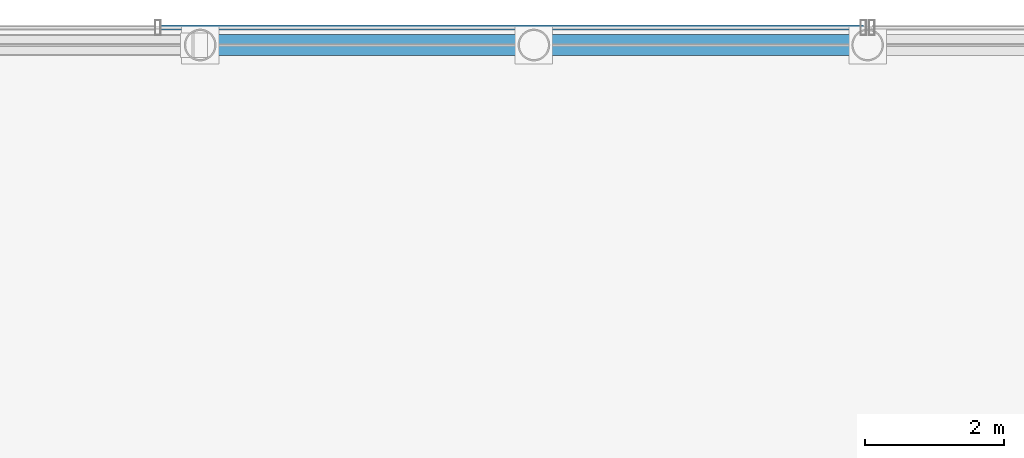
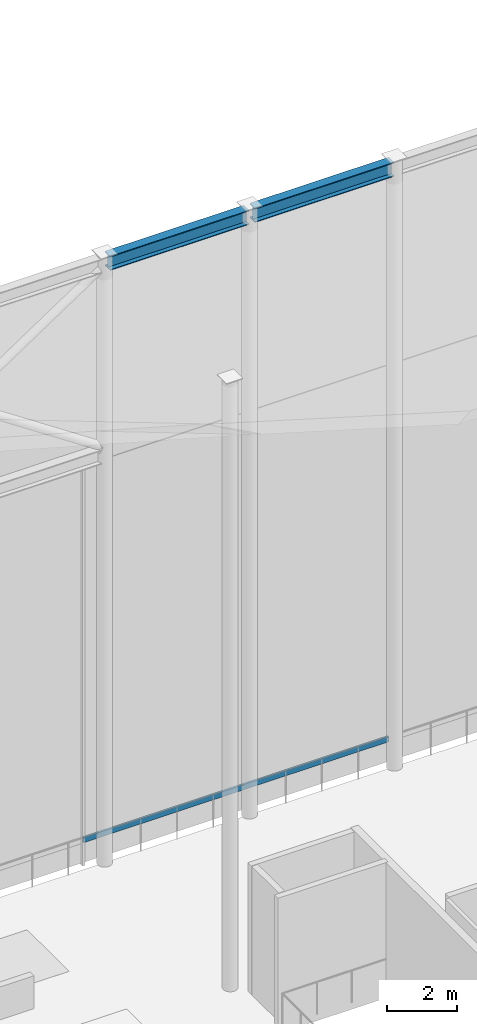
# One storey, part 27 of 42: 2 beams, 1 member, 1 element without a shape of its own.
"""IFC4 building model written with IfcOpenShell, lengths in metres."""

from ifc_helpers import new_model, si_unit, direction, frame, origin, origin_2d, place, context, subcontext, project, spatial, hollow_rectangle, i_section, extrude, material, layer, layer_set, material_profile, profile_set, type_object, element, aggregate, save


model = new_model("IFC4")

# Units and contexts
model_context = context("Model", 3, precision=1e-05, world=origin(), true_north=direction((0.0, 1.0)))
body_context = subcontext(model_context, "Body", "Model", "MODEL_VIEW")
ifc_project = project(units=[si_unit("LENGTHUNIT", "METRE"), si_unit("AREAUNIT", "SQUARE_METRE"), si_unit("VOLUMEUNIT", "CUBIC_METRE"), si_unit("PLANEANGLEUNIT", "RADIAN"), si_unit("MASSUNIT", "GRAM", prefix="KILO")], contexts=[model_context])

# Site, building, storey
site_placement = place(None, origin())
site = spatial("IfcSite", under=ifc_project, at=site_placement, CompositionType="ELEMENT")
building_placement = place(site_placement, origin())
building = spatial("IfcBuilding", under=site, at=building_placement, Name="Kallvorn Hotel Tower", CompositionType="ELEMENT")
storey_placement = place(building_placement, frame((0.0, 0.0, 306.0)))
storey = spatial("IfcBuildingStorey", under=building, at=storey_placement, Name="ROOF", CompositionType="ELEMENT", Elevation=306.0)

# Beams
ifc_material_1 = material(Name="Structural steel S355JR", Category="steel")
ifc_material_profile_1 = material_profile(ifc_material_1, i_section(OverallWidth=0.300048828125, OverallDepth=0.5, WebThickness=0.014404296875, FlangeThickness=0.028076171875, at=origin_2d()), Name="HE 500 B")
ifc_profile_set_1 = profile_set([ifc_material_profile_1], Name="Structural steel S355JR")
beam_type = type_object("IfcBeamType", Name="BM_HE500B", PredefinedType="SPANDREL", material=ifc_profile_set_1)
for number, where, z_axis, x_axis, name in (
    (1, (-14.300048828125, 14.39990234375, 21.030029296875), (1.0, 0.0, 0.0), (0.0, 1.0, 0.0), "CROWN FRAME Top Ring Beam 12"),
    (2, (-9.5, 14.39990234375, 21.030029296875), (1.0, 0.0, 0.0), (0.0, 1.0, 0.0), "CROWN FRAME Top Ring Beam 13"),
):
    element("IfcBeam", number, at=place(storey_placement, frame(where, z_axis=z_axis, x_axis=x_axis)), inside=storey, type_object=beam_type, Name=name, PredefinedType="SPANDREL", context=body_context, shape_type="SweptSolid", body=[
        extrude(i_section(OverallWidth=0.300048828125, OverallDepth=0.5, WebThickness=0.014404296875, FlangeThickness=0.028076171875, at=origin_2d()), origin(), (0.0, 0.0, 1.0), 4.60009765625),
    ])

# Curtain wall, member
ifc_material_2 = material(Name="Thermally broken black-anodised aluminium AA 6063-T6", Category="aluminium")
ifc_layer = layer(ifc_material_2, 0.18994140625)
ifc_layer_set = layer_set([ifc_layer], Name="CW_SYS_7_CROWN_DRUM")
curtain_wall_type = type_object("IfcCurtainWallType", Name="CW_SYS_7_CROWN_DRUM", PredefinedType="USERDEFINED", material=ifc_layer_set)
curtain_wall_placement = place(storey_placement, origin())
curtain_wall = element("IfcCurtainWall", 3, at=curtain_wall_placement, inside=storey, type_object=curtain_wall_type, Name="ROOF Dark-Glass Curtain Wall CW-ROOF-N1", ObjectType="UNITISED CURTAIN WALL", PredefinedType="USERDEFINED")
ifc_material_3 = material(Name="Thermally broken black-anodised aluminium AA 6063-T6", Category="aluminium")
ifc_material_profile_2 = material_profile(ifc_material_3, hollow_rectangle(XDim=0.070068359375, YDim=0.179931640625, WallThickness=0.00390625, at=origin_2d()), Name="TRN 180x70")
ifc_profile_set_2 = profile_set([ifc_material_profile_2], Name="Thermally broken black-anodised aluminium AA 6063-T6")
member_type = type_object("IfcMemberType", Name="CW_TRANSOM_180x70", PredefinedType="USERDEFINED", material=ifc_profile_set_2)
member_placement = place(storey_placement, frame((-14.969970703125, 14.64990234375, 0.85009765625), z_axis=(1.0, 0.0, 0.0), x_axis=(0.0, 1.0, 0.0)))
member = element("IfcMember", 4, at=member_placement, type_object=member_type, Name="CW-ROOF-N1 Transom 01M", ObjectType="TRANSOM", PredefinedType="USERDEFINED", context=body_context, shape_type="SweptSolid", body=[
    extrude(hollow_rectangle(XDim=0.070068359375, YDim=0.179931640625, WallThickness=0.00390625, at=origin_2d()), origin(), (0.0, 0.0, 1.0), 10.10986328125),
])
aggregate(curtain_wall, [member])

save(model, "model.ifc")
